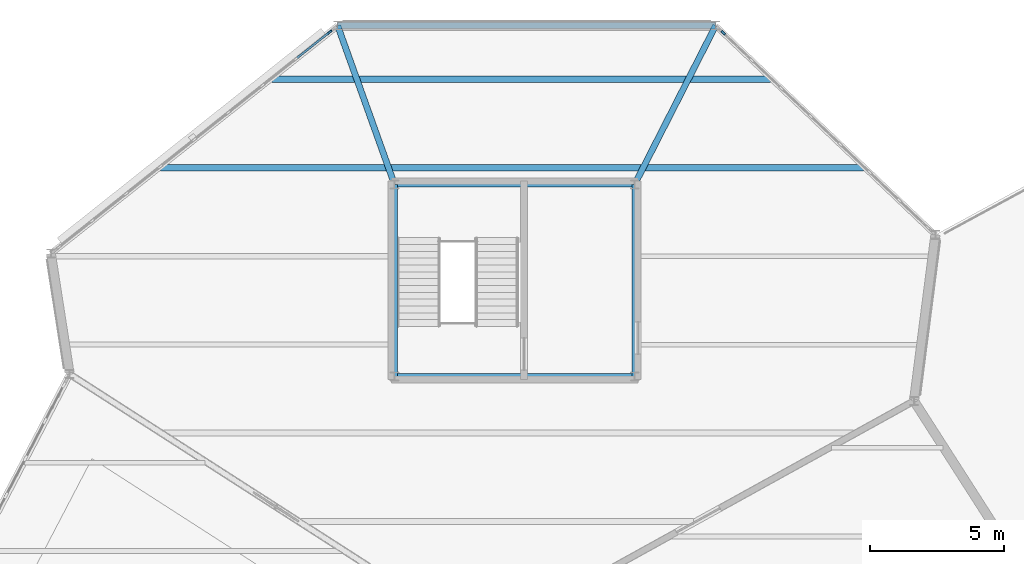
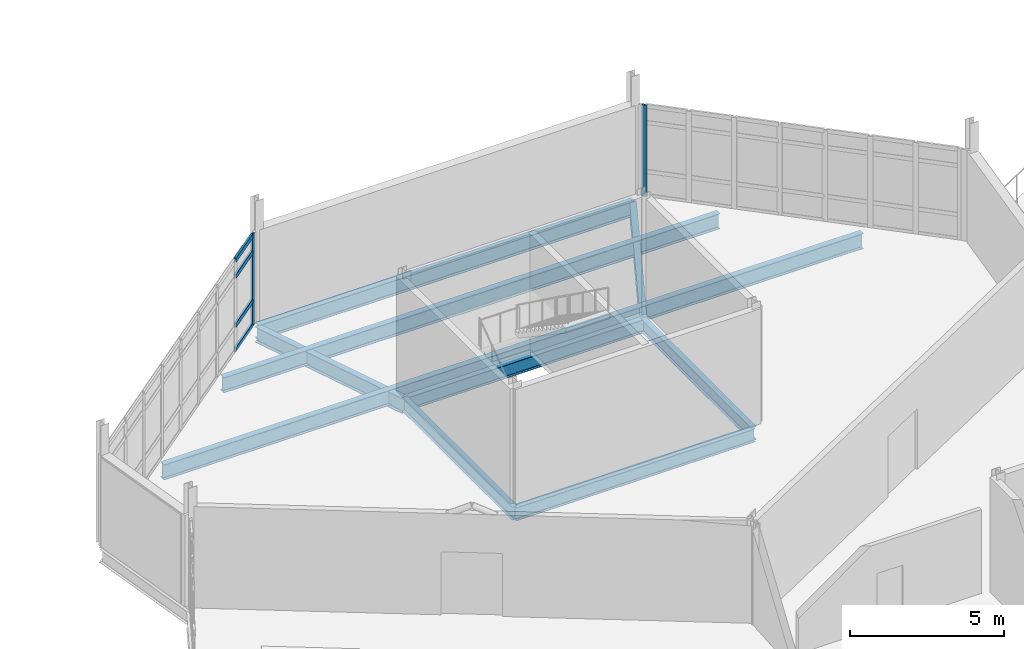
# One storey, part 39 of 76: 9 beams, 6 members, 2 elements without a shape of their own.
"""IFC4 building model written with IfcOpenShell, lengths in metres."""

from ifc_helpers import new_model, si_unit, direction, frame, origin, origin_2d, place, context, subcontext, project, spatial, rectangle, i_section, extrude, material, material_profile, profile_set, type_object, element, aggregate, save


model = new_model("IFC4")

# Units and contexts
model_context = context("Model", 3, precision=1e-05, world=origin(), true_north=direction((0.0, 1.0)))
body_context = subcontext(model_context, "Body", "Model", "MODEL_VIEW")
ifc_project = project(units=[si_unit("LENGTHUNIT", "METRE"), si_unit("AREAUNIT", "SQUARE_METRE"), si_unit("VOLUMEUNIT", "CUBIC_METRE"), si_unit("PLANEANGLEUNIT", "RADIAN"), si_unit("MASSUNIT", "GRAM", prefix="KILO")], contexts=[model_context])

# Site, building, storey
site_placement = place(None, origin())
site = spatial("IfcSite", under=ifc_project, at=site_placement, CompositionType="ELEMENT")
building_placement = place(site_placement, origin())
building = spatial("IfcBuilding", under=site, at=building_placement, Name="Tameran Prism Museum", CompositionType="ELEMENT")
storey_placement = place(building_placement, frame((0.0, 0.0, 15.0)))
storey = spatial("IfcBuildingStorey", under=building, at=storey_placement, Name="L03", CompositionType="ELEMENT", Elevation=15.0)

# Beams
ifc_material_1 = material(Name="Steel Grade 300PLUS (300 MPa)", Category="steel")
ifc_material_profile_1 = material_profile(ifc_material_1, i_section(OverallWidth=0.208984375, OverallDepth=0.528076171875, WebThickness=0.009521484375, FlangeThickness=0.01318359375, FilletRadius=0.013916015625, at=origin_2d()))
ifc_profile_set_1 = profile_set([ifc_material_profile_1])
beam_type_1 = type_object("IfcBeamType", Name="BM-SP530B", PredefinedType="SPANDREL", material=ifc_profile_set_1)
beam_1_placement = place(storey_placement, frame((115.52001953125, 98.919921875, -0.50390625), z_axis=(1.0, 0.0, 0.0), x_axis=(0.0, 1.0, 0.0)))
element("IfcBeam", 1, at=beam_1_placement, inside=storey, type_object=beam_type_1, Name="Core Ring Beam CTB-1022", PredefinedType="SPANDREL", context=body_context, shape_type="SweptSolid", body=[
    extrude(i_section(OverallWidth=0.208984375, OverallDepth=0.528076171875, WebThickness=0.009521484375, FlangeThickness=0.01318359375, FilletRadius=0.013916015625, at=origin_2d()), origin(), (0.0, 0.0, 1.0), 8.9599609375),
])
beam_2_placement = place(storey_placement, frame((124.47998046875, 98.919921875, -0.50390625), z_axis=(0.0, 1.0, 0.0), x_axis=(-1.0, 0.0, 0.0)))
element("IfcBeam", 2, at=beam_2_placement, inside=storey, type_object=beam_type_1, Name="Core Ring Beam CTB-1023", PredefinedType="SPANDREL", context=body_context, shape_type="SweptSolid", body=[
    extrude(i_section(OverallWidth=0.208984375, OverallDepth=0.528076171875, WebThickness=0.009521484375, FlangeThickness=0.01318359375, FilletRadius=0.013916015625, at=origin_2d()), origin(), (0.0, 0.0, 1.0), 7.16015625),
])
beam_3_placement = place(storey_placement, frame((124.47998046875, 106.080078125, -0.50390625), z_axis=(-1.0, 0.0, 0.0), x_axis=(0.0, -1.0, 0.0)))
element("IfcBeam", 3, at=beam_3_placement, inside=storey, type_object=beam_type_1, Name="Core Ring Beam CTB-1024", PredefinedType="SPANDREL", context=body_context, shape_type="SweptSolid", body=[
    extrude(i_section(OverallWidth=0.208984375, OverallDepth=0.528076171875, WebThickness=0.009521484375, FlangeThickness=0.01318359375, FilletRadius=0.013916015625, at=origin_2d()), origin(), (0.0, 0.0, 1.0), 8.9599609375),
])
beam_4_placement = place(storey_placement, frame((115.52001953125, 106.080078125, -0.50390625), z_axis=(0.0, -1.0, 0.0), x_axis=(1.0, 0.0, 0.0)))
element("IfcBeam", 4, at=beam_4_placement, inside=storey, type_object=beam_type_1, Name="Core Ring Beam CTB-1025", PredefinedType="SPANDREL", context=body_context, shape_type="SweptSolid", body=[
    extrude(i_section(OverallWidth=0.208984375, OverallDepth=0.528076171875, WebThickness=0.009521484375, FlangeThickness=0.01318359375, FilletRadius=0.013916015625, at=origin_2d()), origin(), (0.0, 0.0, 1.0), 7.16015625),
])
ifc_material_2 = material(Name="Steel Grade 300PLUS (300 MPa)", Category="steel")
ifc_material_profile_2 = material_profile(ifc_material_2, i_section(OverallWidth=0.22802734375, OverallDepth=0.60205078125, WebThickness=0.010498046875, FlangeThickness=0.014892578125, FilletRadius=0.013916015625, at=origin_2d()))
ifc_profile_set_2 = profile_set([ifc_material_profile_2])
beam_type_2 = type_object("IfcBeamType", Name="BM-SP610", PredefinedType="SPANDREL", material=ifc_profile_set_2)
beam_5_placement = place(storey_placement, frame((127.5, 112.0, -0.5009765625), z_axis=(-1.0, 0.0, 0.0), x_axis=(0.0, -1.0, 0.0)))
element("IfcBeam", 5, at=beam_5_placement, inside=storey, type_object=beam_type_2, Name="Perimeter Spandrel SP-0952", PredefinedType="SPANDREL", context=body_context, shape_type="SweptSolid", body=[
    extrude(i_section(OverallWidth=0.22802734375, OverallDepth=0.60205078125, WebThickness=0.010498046875, FlangeThickness=0.014892578125, FilletRadius=0.013916015625, at=origin_2d()), origin(), (0.0, 0.0, 1.0), 14.10009765625),
])
ifc_material_3 = material(Name="Steel Grade 300PLUS (300 MPa)", Category="steel")
ifc_material_profile_3 = material_profile(ifc_material_3, i_section(OverallWidth=0.22900390625, OverallDepth=0.612060546875, WebThickness=0.011962890625, FlangeThickness=0.01953125, FilletRadius=0.013916015625, at=origin_2d()))
ifc_profile_set_3 = profile_set([ifc_material_profile_3])
beam_type_3 = type_object("IfcBeamType", Name="BM-UB610A", PredefinedType="BEAM", material=ifc_profile_set_3)
beam_6_placement = place(storey_placement, frame((124.47998046875, 106.080078125, -0.56005859375), z_axis=(0.454428700182, 0.890783114148, 0.0), x_axis=(-0.890783114148, 0.454428700182, 0.0)))
element("IfcBeam", 6, at=beam_6_placement, inside=storey, type_object=beam_type_3, Name="Frame Tie Girder FG-1401", PredefinedType="BEAM", context=body_context, shape_type="SweptSolid", body=[
    extrude(i_section(OverallWidth=0.22900390625, OverallDepth=0.612060546875, WebThickness=0.011962890625, FlangeThickness=0.01953125, FilletRadius=0.013916015625, at=origin_2d()), origin(), (0.0, 0.0, 1.0), 6.645751953125),
])
beam_7_placement = place(storey_placement, frame((115.52001953125, 106.080078125, -0.56005859375), z_axis=(-0.337162675886, 0.941446403142, 0.0), x_axis=(-0.941446403142, -0.337162675886, 0.0)))
element("IfcBeam", 7, at=beam_7_placement, inside=storey, type_object=beam_type_3, Name="Frame Tie Girder FG-1407", PredefinedType="BEAM", context=body_context, shape_type="SweptSolid", body=[
    extrude(i_section(OverallWidth=0.22900390625, OverallDepth=0.612060546875, WebThickness=0.011962890625, FlangeThickness=0.01953125, FilletRadius=0.013916015625, at=origin_2d()), origin(), (0.0, 0.0, 1.0), 6.2880859375),
])
ifc_material_4 = material(Name="Steel Grade 300PLUS (300 MPa)", Category="steel")
ifc_material_profile_4 = material_profile(ifc_material_4, i_section(OverallWidth=0.22802734375, OverallDepth=0.60693359375, WebThickness=0.01123046875, FlangeThickness=0.017333984375, FilletRadius=0.013916015625, at=origin_2d()))
ifc_profile_set_4 = profile_set([ifc_material_profile_4])
beam_type_4 = type_object("IfcBeamType", Name="BM-UB610B", PredefinedType="BEAM", material=ifc_profile_set_4)
beam_8_placement = place(storey_placement, frame((106.79296875, 106.699951171875, -0.50341796875), z_axis=(1.0, 0.0, 0.0), x_axis=(0.0, 1.0, 0.0)))
element("IfcBeam", 8, at=beam_8_placement, inside=storey, type_object=beam_type_4, Name="Floor Beam BM-1080", PredefinedType="BEAM", context=body_context, shape_type="SweptSolid", body=[
    extrude(i_section(OverallWidth=0.22802734375, OverallDepth=0.60693359375, WebThickness=0.01123046875, FlangeThickness=0.017333984375, FilletRadius=0.013916015625, at=origin_2d()), origin(), (0.0, 0.0, 1.0), 26.220947265625),
])
beam_9_placement = place(storey_placement, frame((110.947021484375, 110.0, -0.50341796875), z_axis=(1.0, 0.0, 0.0), x_axis=(0.0, 1.0, 0.0)))
element("IfcBeam", 9, at=beam_9_placement, inside=storey, type_object=beam_type_4, Name="Floor Beam BM-1081", PredefinedType="BEAM", context=body_context, shape_type="SweptSolid", body=[
    extrude(i_section(OverallWidth=0.22802734375, OverallDepth=0.60693359375, WebThickness=0.01123046875, FlangeThickness=0.017333984375, FilletRadius=0.013916015625, at=origin_2d()), origin(), (0.0, 0.0, 1.0), 18.597900390625),
])

# Curtain wall, member
ifc_material_5 = material(Name="Anodised Aluminium 6063-T6 and Cyclone Solar Glass", Category="aluminium")
curtain_wall_type_1 = type_object("IfcCurtainWallType", Name="CW-FAC-1062x362", PredefinedType="USERDEFINED", material=ifc_material_5)
curtain_wall_1_placement = place(storey_placement, origin())
curtain_wall_1 = element("IfcCurtainWall", 10, at=curtain_wall_1_placement, inside=storey, type_object=curtain_wall_type_1, Name="Unitised Curtain Wall CW-132", ObjectType="UNITISED CURTAIN WALL", PredefinedType="USERDEFINED")
ifc_material_6 = material(Name="Anodised Aluminium Alloy 6063-T6", Category="aluminium")
ifc_material_profile_5 = material_profile(ifc_material_6, rectangle(XDim=0.070068359375, YDim=0.179931640625, at=origin_2d()))
ifc_profile_set_5 = profile_set([ifc_material_profile_5])
member_type_1 = type_object("IfcMemberType", Name="CW-MUL-B", PredefinedType="MULLION", material=ifc_profile_set_5)
member_1_placement = place(storey_placement, frame((127.779296875, 111.73486328125, 0.0), z_axis=(0.0, 0.0, 1.0), x_axis=(0.689274065662, 0.724500698692, 0.0)))
member_1 = element("IfcMember", 11, at=member_1_placement, type_object=member_type_1, Name="CW-132 mullion 1", PredefinedType="MULLION", context=body_context, shape_type="SweptSolid", body=[
    extrude(rectangle(XDim=0.070068359375, YDim=0.179931640625, at=origin_2d()), origin(), (0.0, 0.0, 1.0), 3.6201171875),
])
aggregate(curtain_wall_1, [member_1])

# Curtain wall, members
ifc_material_7 = material(Name="Anodised Aluminium 6063-T6 and Cyclone Solar Glass", Category="aluminium")
curtain_wall_type_2 = type_object("IfcCurtainWallType", Name="CW-FAC-1296x362", PredefinedType="USERDEFINED", material=ifc_material_7)
curtain_wall_2_placement = place(storey_placement, origin())
curtain_wall_2 = element("IfcCurtainWall", 12, at=curtain_wall_2_placement, inside=storey, type_object=curtain_wall_type_2, Name="Unitised Curtain Wall CW-133", ObjectType="UNITISED CURTAIN WALL", PredefinedType="USERDEFINED")
ifc_material_8 = material(Name="Anodised Aluminium Alloy 6063-T6", Category="aluminium")
ifc_material_profile_6 = material_profile(ifc_material_8, rectangle(XDim=0.074951171875, YDim=0.199951171875, at=origin_2d()))
ifc_profile_set_6 = profile_set([ifc_material_profile_6])
member_type_2 = type_object("IfcMemberType", Name="CW-MUL-C", PredefinedType="MULLION", material=ifc_profile_set_6)
member_2_placement = place(storey_placement, frame((113.0966796875, 111.7587890625, 0.0), z_axis=(0.0, 0.0, 1.0), x_axis=(-0.621982306183, 0.783031296178, 0.0)))
member_2 = element("IfcMember", 13, at=member_2_placement, type_object=member_type_2, Name="CW-133 mullion 9", PredefinedType="MULLION", context=body_context, shape_type="SweptSolid", body=[
    extrude(rectangle(XDim=0.074951171875, YDim=0.199951171875, at=origin_2d()), origin(), (0.0, 0.0, 1.0), 3.6201171875),
])
ifc_material_9 = material(Name="Anodised Aluminium Alloy 6063-T6", Category="aluminium")
ifc_material_profile_7 = material_profile(ifc_material_9, rectangle(XDim=0.074951171875, YDim=0.175048828125, at=origin_2d()))
ifc_profile_set_7 = profile_set([ifc_material_profile_7])
member_type_3 = type_object("IfcMemberType", Name="CW-TRN-C", PredefinedType="USERDEFINED", material=ifc_profile_set_7)
member_3_placement = place(storey_placement, frame((111.886474609375, 110.79736328125, 0.03759765625), z_axis=(0.783043597879, 0.621966818907, 0.0), x_axis=(-0.621966818907, 0.783043597879, 0.0)))
member_3 = element("IfcMember", 14, at=member_3_placement, type_object=member_type_3, Name="CW-133 transom 8.1", ObjectType="TRANSOM", PredefinedType="USERDEFINED", context=body_context, shape_type="SweptSolid", body=[
    extrude(rectangle(XDim=0.074951171875, YDim=0.175048828125, at=origin_2d()), origin(), (0.0, 0.0, 1.0), 1.508056640625),
])
member_4_placement = place(storey_placement, frame((111.886474609375, 110.79736328125, 1.0), z_axis=(0.783043597879, 0.621966818907, 0.0), x_axis=(-0.621966818907, 0.783043597879, 0.0)))
member_4 = element("IfcMember", 15, at=member_4_placement, type_object=member_type_3, Name="CW-133 transom 8.2", ObjectType="TRANSOM", PredefinedType="USERDEFINED", context=body_context, shape_type="SweptSolid", body=[
    extrude(rectangle(XDim=0.074951171875, YDim=0.175048828125, at=origin_2d()), origin(), (0.0, 0.0, 1.0), 1.508056640625),
])
member_5_placement = place(storey_placement, frame((111.886474609375, 110.79736328125, 2.93994140625), z_axis=(0.783043597879, 0.621966818907, 0.0), x_axis=(-0.621966818907, 0.783043597879, 0.0)))
member_5 = element("IfcMember", 16, at=member_5_placement, type_object=member_type_3, Name="CW-133 transom 8.3", ObjectType="TRANSOM", PredefinedType="USERDEFINED", context=body_context, shape_type="SweptSolid", body=[
    extrude(rectangle(XDim=0.074951171875, YDim=0.175048828125, at=origin_2d()), origin(), (0.0, 0.0, 1.0), 1.508056640625),
])
member_6_placement = place(storey_placement, frame((111.886474609375, 110.79736328125, 3.58251953125), z_axis=(0.783043597879, 0.621966818907, 0.0), x_axis=(-0.621966818907, 0.783043597879, 0.0)))
member_6 = element("IfcMember", 17, at=member_6_placement, type_object=member_type_3, Name="CW-133 transom 8.4", ObjectType="TRANSOM", PredefinedType="USERDEFINED", context=body_context, shape_type="SweptSolid", body=[
    extrude(rectangle(XDim=0.074951171875, YDim=0.175048828125, at=origin_2d()), origin(), (0.0, 0.0, 1.0), 1.508056640625),
])
aggregate(curtain_wall_2, [member_2, member_3, member_4, member_5, member_6])

save(model, "model.ifc")
